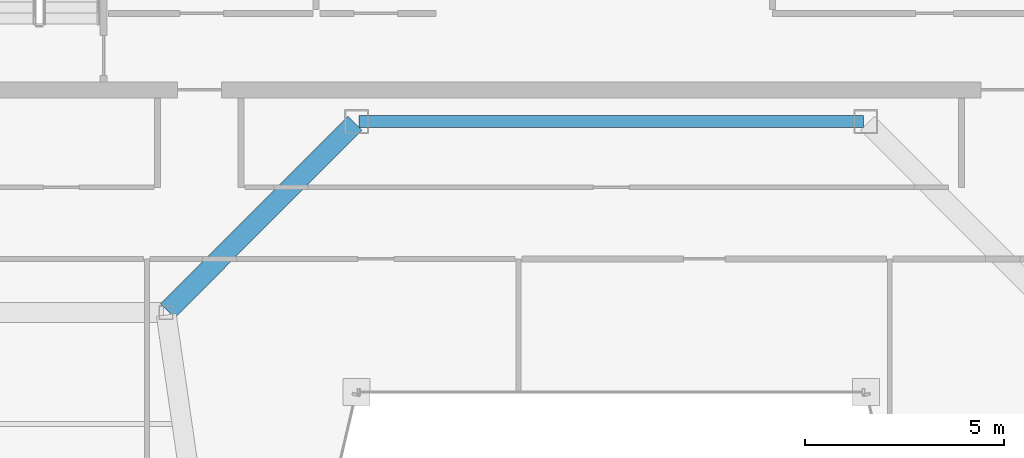
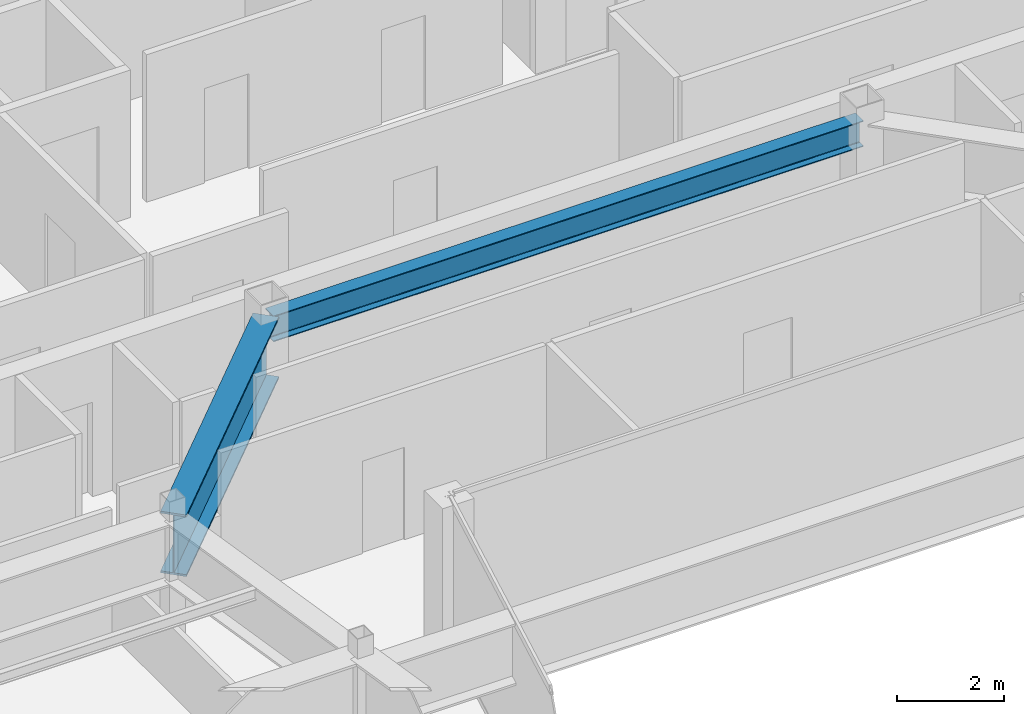
# One storey, part 9 of 30: 2 beams.
"""IFC4 building model written with IfcOpenShell, lengths in metres."""

from ifc_helpers import new_model, si_unit, direction, frame, origin, origin_2d, place, context, subcontext, project, spatial, i_section, extrude, material, material_profile, profile_set, type_object, element, save


model = new_model("IFC4")

# Units and contexts
model_context = context("Model", 3, precision=1e-05, world=origin(), true_north=direction((0.0, 1.0)))
body_context = subcontext(model_context, "Body", "Model", "MODEL_VIEW")
ifc_project = project(units=[si_unit("LENGTHUNIT", "METRE"), si_unit("AREAUNIT", "SQUARE_METRE"), si_unit("VOLUMEUNIT", "CUBIC_METRE"), si_unit("PLANEANGLEUNIT", "RADIAN"), si_unit("MASSUNIT", "GRAM", prefix="KILO")], contexts=[model_context])

# Site, building, storey
site_placement = place(None, origin())
site = spatial("IfcSite", under=ifc_project, at=site_placement, CompositionType="ELEMENT")
building_placement = place(site_placement, origin())
building = spatial("IfcBuilding", under=site, at=building_placement, Name="Saevonmaru Cultural Tower", CompositionType="ELEMENT")
storey_placement = place(building_placement, frame((0.0, 0.0, 272.39990234375)))
storey = spatial("IfcBuildingStorey", under=building, at=storey_placement, Name="L64", CompositionType="ELEMENT", Elevation=272.39990234375)

# Beams
ifc_material_1 = material(Name="Steel SM355", Category="steel")
ifc_material_profile_1 = material_profile(ifc_material_1, i_section(OverallWidth=0.300048828125, OverallDepth=0.587890625, WebThickness=0.011962890625, FlangeThickness=0.02001953125, FilletRadius=0.02392578125, at=origin_2d()), Name="H-588x300x12x20")
ifc_profile_set_1 = profile_set([ifc_material_profile_1], Name="Steel SM355")
beam_type_1 = type_object("IfcBeamType", Name="BM-G-H588", PredefinedType="BEAM", material=ifc_profile_set_1)
beam_1_placement = place(storey_placement, frame((23.659912109375, 42.39990234375, 3.05615234375), z_axis=(1.0, 0.0, 0.0), x_axis=(0.0, 1.0, 0.0)))
element("IfcBeam", 1, at=beam_1_placement, inside=storey, type_object=beam_type_1, Name="L64 Core South Girder 3", PredefinedType="BEAM", context=body_context, shape_type="SweptSolid", body=[
    extrude(i_section(OverallWidth=0.300048828125, OverallDepth=0.587890625, WebThickness=0.011962890625, FlangeThickness=0.02001953125, FilletRadius=0.02392578125, at=origin_2d()), origin(), (0.0, 0.0, 1.0), 12.68017578125),
])
ifc_material_2 = material(Name="Steel HSA600 (600 MPa)", Category="steel")
ifc_material_profile_2 = material_profile(ifc_material_2, i_section(OverallWidth=0.5, OverallDepth=1.39990234375, WebThickness=0.02392578125, FlangeThickness=0.044921875, at=origin_2d()), Name="PG-1400x500x24x45")
ifc_profile_set_2 = profile_set([ifc_material_profile_2], Name="Steel HSA600 (600 MPa)")
beam_type_2 = type_object("IfcBeamType", Name="BM-TG-PG1400", PredefinedType="BEAM", material=ifc_profile_set_2)
beam_2_placement = place(storey_placement, frame((18.850341796875, 37.642578125, 2.650146484375), z_axis=(0.706538566564, 0.707674539572, 0.0), x_axis=(-0.707674539572, 0.706538566564, 0.0)))
element("IfcBeam", 2, at=beam_2_placement, inside=storey, type_object=beam_type_2, Name="L64 West Atrium Girder 3", PredefinedType="BEAM", context=body_context, shape_type="SweptSolid", body=[
    extrude(i_section(OverallWidth=0.5, OverallDepth=1.39990234375, WebThickness=0.02392578125, FlangeThickness=0.044921875, at=origin_2d()), origin(), (0.0, 0.0, 1.0), 6.662353515625),
])

save(model, "model.ifc")
